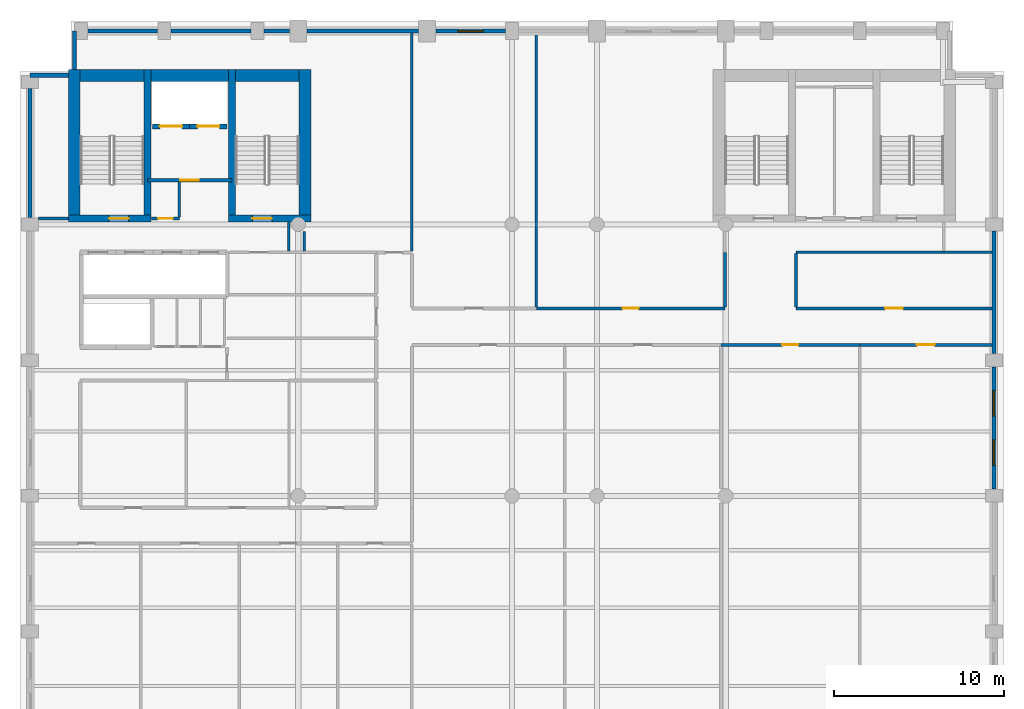
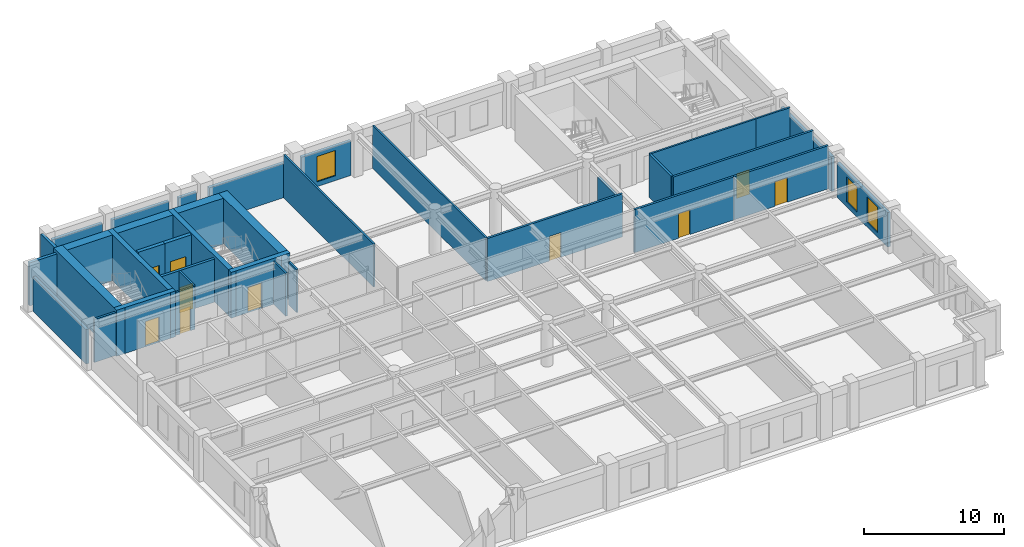
# One storey, part 5 of 8: 35 walls, 10 doors, 3 windows, 13 openings.
"""IFC4 building model written with IfcOpenShell, lengths in metres."""

from ifc_helpers import new_model, si_unit, direction, frame, frame_2d, origin, place, context, subcontext, project, spatial, rectangle, extrude, material, layer, layer_set, type_object, element, fill, save


model = new_model("IFC4")

# Units and contexts
model_context = context("Model", 3, precision=1e-05, world=origin(), true_north=direction((0.0, 1.0)))
body_context = subcontext(model_context, "Body", "Model", "MODEL_VIEW")
ifc_project = project(units=[si_unit("LENGTHUNIT", "METRE"), si_unit("AREAUNIT", "SQUARE_METRE"), si_unit("VOLUMEUNIT", "CUBIC_METRE"), si_unit("PLANEANGLEUNIT", "RADIAN"), si_unit("MASSUNIT", "GRAM", prefix="KILO")], contexts=[model_context])

# Site, building, storey
site_placement = place(None, origin())
site = spatial("IfcSite", under=ifc_project, at=site_placement, CompositionType="ELEMENT")
building_placement = place(site_placement, origin())
building = spatial("IfcBuilding", under=site, at=building_placement, Name="Sulina Concourse Tower", CompositionType="ELEMENT")
storey_placement = place(building_placement, frame((0.0, 0.0, 252.60009765625)))
storey = spatial("IfcBuildingStorey", under=building, at=storey_placement, Name="L61", CompositionType="ELEMENT", Elevation=252.60009765625)

# Wall, opening, door
ifc_material_1 = material(Name="Concrete C50/60", Category="concrete")
ifc_layer_1 = layer(ifc_material_1, 0.300048828125)
ifc_layer_set_1 = layer_set([ifc_layer_1], Name="Concrete C50/60")
wall_type_1 = type_object("IfcWallType", Name="Core Lift Hoistway Wall 300mm", PredefinedType="SOLIDWALL", material=ifc_layer_set_1)
wall_1_placement = place(storey_placement, frame((10.0, 39.780029296875, 0.0), z_axis=(0.0, 0.0, 1.0), x_axis=(-1.0, 0.0, 0.0)))
wall_1 = element("IfcWall", 1, at=wall_1_placement, inside=storey, type_object=wall_type_1, Name="L61 hoistway enclosure wall FFL-1", PredefinedType="SOLIDWALL", context=body_context, shape_type="SweptSolid", body=[
    extrude(rectangle(XDim=2.199951171875, YDim=0.300048828125, at=frame_2d((1.10009765625, 0.0))), origin(), (0.0, 0.0, 1.0), 4.0),
])
opening_1_placement = place(wall_1_placement, frame((0.449951171875, 0.0, 0.0)))
opening_1 = element("IfcOpeningElement", 2, at=opening_1_placement, cuts=wall_1, Name="Opening LD-02", PredefinedType="OPENING", context=body_context, shape_type="SweptSolid", body=[
    extrude(rectangle(XDim=1.300048828125, YDim=2.25, at=frame_2d((0.64990234375, 1.125))), frame((0.0, 0.159912109375, 0.0), z_axis=(0.0, -1.0, 0.0), x_axis=(1.0, 0.0, 0.0)), (0.0, 0.0, 1.0), 0.320068359375),
])
ifc_material_2 = material(Name="Stainless steel lift landing door", Category="steel")
ifc_layer_2 = layer(ifc_material_2, 0.050048828125)
ifc_layer_set_2 = layer_set([ifc_layer_2], Name="Stainless steel lift landing door")
door_type_1 = type_object("IfcDoorType", Name="Firefighting Lift Sliding Landing Door 1300x2250", OperationType="SLIDING_TO_RIGHT", PredefinedType="DOOR", material=ifc_layer_set_2)
door_1_placement = place(opening_1_placement, origin())
door_1 = element("IfcDoor", 3, at=door_1_placement, inside=storey, type_object=door_type_1, Name="L61 lift landing sliding door FFL-1", OperationType="SLIDING_TO_LEFT", OverallHeight=2.25, OverallWidth=1.300048828125, PredefinedType="DOOR", context=body_context, shape_type="SweptSolid", body=[
    extrude(rectangle(XDim=1.300048828125, YDim=2.25, at=frame_2d((0.64990234375, 1.125))), frame((0.0, 0.02490234375, 0.0), z_axis=(0.0, -1.0, 0.0), x_axis=(1.0, 0.0, 0.0)), (0.0, 0.0, 1.0), 0.050048828125),
])
fill(opening_1, door_1)

wall_2_placement = place(storey_placement, frame((12.199951171875, 39.780029296875, 0.0), z_axis=(0.0, 0.0, 1.0), x_axis=(-1.0, 0.0, 0.0)))
wall_2 = element("IfcWall", 4, at=wall_2_placement, inside=storey, type_object=wall_type_1, Name="L61 hoistway enclosure wall FFL-2", PredefinedType="SOLIDWALL", context=body_context, shape_type="SweptSolid", body=[
    extrude(rectangle(XDim=2.199951171875, YDim=0.300048828125, at=frame_2d((1.10009765625, 0.0))), origin(), (0.0, 0.0, 1.0), 4.0),
])
opening_2_placement = place(wall_2_placement, frame((0.449951171875, 0.0, 0.0)))
opening_2 = element("IfcOpeningElement", 5, at=opening_2_placement, cuts=wall_2, Name="Opening LD-02", PredefinedType="OPENING", context=body_context, shape_type="SweptSolid", body=[
    extrude(rectangle(XDim=1.300048828125, YDim=2.25, at=frame_2d((0.64990234375, 1.125))), frame((0.0, 0.159912109375, 0.0), z_axis=(0.0, -1.0, 0.0), x_axis=(1.0, 0.0, 0.0)), (0.0, 0.0, 1.0), 0.320068359375),
])
door_2_placement = place(opening_2_placement, origin())
door_2 = element("IfcDoor", 6, at=door_2_placement, inside=storey, type_object=door_type_1, Name="L61 lift landing sliding door FFL-2", OperationType="SLIDING_TO_RIGHT", OverallHeight=2.25, OverallWidth=1.300048828125, PredefinedType="DOOR", context=body_context, shape_type="SweptSolid", body=[
    extrude(rectangle(XDim=1.300048828125, YDim=2.25, at=frame_2d((0.64990234375, 1.125))), frame((0.0, 0.02490234375, 0.0), z_axis=(0.0, -1.0, 0.0), x_axis=(1.0, 0.0, 0.0)), (0.0, 0.0, 1.0), 0.050048828125),
])
fill(opening_2, door_2)

# Walls
ifc_material_3 = material(Name="Precast concrete C50/60", Category="concrete")
ifc_layer_3 = layer(ifc_material_3, 0.239990234375)
ifc_layer_set_3 = layer_set([ifc_layer_3], Name="Precast concrete C50/60")
wall_type_2 = type_object("IfcWallType", Name="Crown Precast Masonry-Frame Facade Wall 240mm", PredefinedType="SOLIDWALL", material=ifc_layer_set_3)
wall_3_placement = place(storey_placement, frame((0.60009765625, 34.39501953125, 0.0), z_axis=(0.0, 0.0, 1.0), x_axis=(0.0, 1.0, 0.0)))
element("IfcWall", 7, at=wall_3_placement, inside=storey, type_object=wall_type_2, Name="L61 exterior precast wall W5", PredefinedType="SOLIDWALL", context=body_context, shape_type="SweptSolid", body=[
    extrude(rectangle(XDim=7.60986328125, YDim=0.239990234375, at=frame_2d((3.804931640625, 0.0))), origin(), (0.0, 0.0, 1.0), 3.0),
])
wall_4_placement = place(storey_placement, frame((3.9951171875, 45.39990234375, 0.0), z_axis=(0.0, 0.0, 1.0), x_axis=(1.0, 0.0, 0.0)))
element("IfcWall", 8, at=wall_4_placement, inside=storey, type_object=wall_type_2, Name="L61 exterior precast wall N1", PredefinedType="SOLIDWALL", context=body_context, shape_type="SweptSolid", body=[
    extrude(rectangle(XDim=4.10986328125, YDim=0.239990234375, at=frame_2d((2.054931640625, 0.0))), origin(), (0.0, 0.0, 1.0), 3.0),
])
wall_5_placement = place(storey_placement, frame((8.89501953125, 45.39990234375, 0.0), z_axis=(0.0, 0.0, 1.0), x_axis=(1.0, 0.0, 0.0)))
element("IfcWall", 9, at=wall_5_placement, inside=storey, type_object=wall_type_2, Name="L61 exterior precast wall N2", PredefinedType="SOLIDWALL", context=body_context, shape_type="SweptSolid", body=[
    extrude(rectangle(XDim=4.7099609375, YDim=0.239990234375, at=frame_2d((2.35498046875, 0.0))), origin(), (0.0, 0.0, 1.0), 3.0),
])
wall_6_placement = place(storey_placement, frame((14.39501953125, 45.39990234375, 0.0), z_axis=(0.0, 0.0, 1.0), x_axis=(1.0, 0.0, 0.0)))
element("IfcWall", 10, at=wall_6_placement, inside=storey, type_object=wall_type_2, Name="L61 exterior precast wall N3", PredefinedType="SOLIDWALL", context=body_context, shape_type="SweptSolid", body=[
    extrude(rectangle(XDim=1.48486328125, YDim=0.239990234375, at=frame_2d((0.742431640625, 0.0))), origin(), (0.0, 0.0, 1.0), 3.0),
])
wall_7_placement = place(storey_placement, frame((16.919921875, 45.39990234375, 0.0), z_axis=(0.0, 0.0, 1.0), x_axis=(1.0, 0.0, 0.0)))
element("IfcWall", 11, at=wall_7_placement, inside=storey, type_object=wall_type_2, Name="L61 exterior precast wall N4", PredefinedType="SOLIDWALL", context=body_context, shape_type="SweptSolid", body=[
    extrude(rectangle(XDim=6.56005859375, YDim=0.239990234375, at=frame_2d((3.280029296875, 0.0))), origin(), (0.0, 0.0, 1.0), 3.0),
])

# Wall, opening, window
wall_8_placement = place(storey_placement, frame((24.52001953125, 45.39990234375, 0.0), z_axis=(0.0, 0.0, 1.0), x_axis=(1.0, 0.0, 0.0)))
wall_8 = element("IfcWall", 12, at=wall_8_placement, inside=storey, type_object=wall_type_2, Name="L61 exterior precast wall N5", PredefinedType="SOLIDWALL", context=body_context, shape_type="SweptSolid", body=[
    extrude(rectangle(XDim=4.0849609375, YDim=0.239990234375, at=frame_2d((2.04248046875, 0.0))), origin(), (0.0, 0.0, 1.0), 3.0),
])
opening_3_placement = place(wall_8_placement, frame((1.29248046875, 0.0, 0.419921875)))
opening_3 = element("IfcOpeningElement", 13, at=opening_3_placement, cuts=wall_8, Name="Opening WN-71", PredefinedType="OPENING", context=body_context, shape_type="SweptSolid", body=[
    extrude(rectangle(XDim=1.5, YDim=2.199951171875, at=frame_2d((0.75, 1.10009765625))), frame((0.0, 0.1298828125, 0.0), z_axis=(0.0, -1.0, 0.0), x_axis=(1.0, 0.0, 0.0)), (0.0, 0.0, 1.0), 0.260009765625),
])
ifc_material_4 = material(Name="Low-E solar double glazing in bronze aluminium", Category="aluminium")
window_type = type_object("IfcWindowType", Name="Punched Masonry-Frame Window 1500x2200", PartitioningType="SINGLE_PANEL", PredefinedType="WINDOW", material=ifc_material_4)
window_1_placement = place(opening_3_placement, origin())
window_1 = element("IfcWindow", 14, at=window_1_placement, inside=storey, type_object=window_type, Name="L61 punched window N5-1", OverallHeight=2.199951171875, OverallWidth=1.5, PartitioningType="SINGLE_PANEL", PredefinedType="WINDOW", context=body_context, shape_type="SweptSolid", body=[
    extrude(rectangle(XDim=1.5, YDim=2.199951171875, at=frame_2d((0.75, 1.10009765625))), frame((0.0, 0.030029296875, 0.0), z_axis=(0.0, -1.0, 0.0), x_axis=(1.0, 0.0, 0.0)), (0.0, 0.0, 1.0), 0.06005859375),
])
fill(opening_3, window_1)

# Wall, openings, windows
wall_9_placement = place(storey_placement, frame((57.39990234375, 25.60498046875, 0.0), z_axis=(0.0, 0.0, 1.0), x_axis=(0.0, -1.0, 0.0)))
wall_9 = element("IfcWall", 15, at=wall_9_placement, inside=storey, type_object=wall_type_2, Name="L61 exterior precast wall E3", PredefinedType="SOLIDWALL", context=body_context, shape_type="SweptSolid", body=[
    extrude(rectangle(XDim=7.2099609375, YDim=0.239990234375, at=frame_2d((3.60498046875, 0.0))), origin(), (0.0, 0.0, 1.0), 3.0),
])
opening_4_placement = place(wall_9_placement, frame((1.4033203125, 0.0, 0.419921875)))
opening_4 = element("IfcOpeningElement", 16, at=opening_4_placement, cuts=wall_9, Name="Opening WN-71", PredefinedType="OPENING", context=body_context, shape_type="SweptSolid", body=[
    extrude(rectangle(XDim=1.5, YDim=2.199951171875, at=frame_2d((0.75, 1.10009765625))), frame((0.0, 0.1298828125, 0.0), z_axis=(0.0, -1.0, 0.0), x_axis=(1.0, 0.0, 0.0)), (0.0, 0.0, 1.0), 0.260009765625),
])
opening_5_placement = place(wall_9_placement, frame((4.306640625, 0.0, 0.419921875)))
opening_5 = element("IfcOpeningElement", 17, at=opening_5_placement, cuts=wall_9, Name="Opening WN-71", PredefinedType="OPENING", context=body_context, shape_type="SweptSolid", body=[
    extrude(rectangle(XDim=1.5, YDim=2.199951171875, at=frame_2d((0.75, 1.10009765625))), frame((0.0, 0.1298828125, 0.0), z_axis=(0.0, -1.0, 0.0), x_axis=(1.0, 0.0, 0.0)), (0.0, 0.0, 1.0), 0.260009765625),
])
window_2_placement = place(opening_4_placement, origin())
window_2 = element("IfcWindow", 18, at=window_2_placement, inside=storey, type_object=window_type, Name="L61 punched window E3-1", OverallHeight=2.199951171875, OverallWidth=1.5, PartitioningType="SINGLE_PANEL", PredefinedType="WINDOW", context=body_context, shape_type="SweptSolid", body=[
    extrude(rectangle(XDim=1.5, YDim=2.199951171875, at=frame_2d((0.75, 1.10009765625))), frame((0.0, 0.030029296875, 0.0), z_axis=(0.0, -1.0, 0.0), x_axis=(1.0, 0.0, 0.0)), (0.0, 0.0, 1.0), 0.06005859375),
])
fill(opening_4, window_2)
window_3_placement = place(opening_5_placement, origin())
window_3 = element("IfcWindow", 19, at=window_3_placement, inside=storey, type_object=window_type, Name="L61 punched window E3-2", OverallHeight=2.199951171875, OverallWidth=1.5, PartitioningType="SINGLE_PANEL", PredefinedType="WINDOW", context=body_context, shape_type="SweptSolid", body=[
    extrude(rectangle(XDim=1.5, YDim=2.199951171875, at=frame_2d((0.75, 1.10009765625))), frame((0.0, 0.030029296875, 0.0), z_axis=(0.0, -1.0, 0.0), x_axis=(1.0, 0.0, 0.0)), (0.0, 0.0, 1.0), 0.06005859375),
])
fill(opening_5, window_3)

# Walls
wall_10_placement = place(storey_placement, frame((57.39990234375, 33.60498046875, 0.0), z_axis=(0.0, 0.0, 1.0), x_axis=(0.0, -1.0, 0.0)))
element("IfcWall", 20, at=wall_10_placement, inside=storey, type_object=wall_type_2, Name="L61 exterior precast wall E4", PredefinedType="SOLIDWALL", context=body_context, shape_type="SweptSolid", body=[
    extrude(rectangle(XDim=7.2099609375, YDim=0.239990234375, at=frame_2d((3.60498046875, 0.0))), origin(), (0.0, 0.0, 1.0), 3.0),
])
wall_11_placement = place(storey_placement, frame((0.60009765625, 42.794921875, 0.0), z_axis=(0.0, 0.0, 1.0), x_axis=(1.0, 0.0, 0.0)))
element("IfcWall", 21, at=wall_11_placement, inside=storey, type_object=wall_type_2, Name="L61 exterior precast wall CNW1", PredefinedType="SOLIDWALL", context=body_context, shape_type="SweptSolid", body=[
    extrude(rectangle(XDim=2.244873046875, YDim=0.239990234375, at=frame_2d((1.12255859375, 0.0))), origin(), (0.0, 0.0, 1.0), 3.75),
])
wall_12_placement = place(storey_placement, frame((3.205078125, 43.135009765625, 0.0), z_axis=(0.0, 0.0, 1.0), x_axis=(0.0, 1.0, 0.0)))
element("IfcWall", 22, at=wall_12_placement, inside=storey, type_object=wall_type_2, Name="L61 exterior precast wall CNW2", PredefinedType="SOLIDWALL", context=body_context, shape_type="SweptSolid", body=[
    extrude(rectangle(XDim=2.264892578125, YDim=0.239990234375, at=frame_2d((1.13232421875, 0.0))), origin(), (0.0, 0.0, 1.0), 3.75),
])

# Wall, opening, door
ifc_material_5 = material(Name="Gypsum board on steel stud", Category="steel")
ifc_layer_4 = layer(ifc_material_5, 0.219970703125)
ifc_layer_set_4 = layer_set([ifc_layer_4], Name="Gypsum board on steel stud")
wall_type_3 = type_object("IfcWallType", Name="Fire-Rated Lobby & Compartment Wall 220mm", PredefinedType="PARTITIONING", material=ifc_layer_set_4)
wall_13_placement = place(storey_placement, frame((7.510009765625, 36.60009765625, 0.0), z_axis=(0.0, 0.0, 1.0), x_axis=(1.0, 0.0, 0.0)))
wall_13 = element("IfcWall", 23, at=wall_13_placement, inside=storey, type_object=wall_type_3, Name="L61 firefighting lobby south fire wall", PredefinedType="PARTITIONING", context=body_context, shape_type="SweptSolid", body=[
    extrude(rectangle(XDim=4.97998046875, YDim=0.219970703125, at=frame_2d((2.489990234375, 0.0))), origin(), (0.0, 0.0, 1.0), 3.75),
])
opening_6_placement = place(wall_13_placement, frame((1.93994140625, 0.0, 0.0)))
opening_6 = element("IfcOpeningElement", 24, at=opening_6_placement, cuts=wall_13, Name="Opening DR-47", PredefinedType="OPENING", context=body_context, shape_type="SweptSolid", body=[
    extrude(rectangle(XDim=1.10009765625, YDim=2.199951171875, at=frame_2d((0.550048828125, 1.10009765625))), frame((0.0, 0.119873046875, 0.0), z_axis=(0.0, -1.0, 0.0), x_axis=(1.0, 0.0, 0.0)), (0.0, 0.0, 1.0), 0.239990234375),
])
ifc_material_6 = material(Name="Galvanised steel acoustic fire leaf", Category="steel")
ifc_layer_5 = layer(ifc_material_6, 0.054931640625)
ifc_layer_set_5 = layer_set([ifc_layer_5], Name="Galvanised steel acoustic fire leaf")
door_type_2 = type_object("IfcDoorType", Name="Firefighting Lobby Fire Door 1100x2200", OperationType="NOTDEFINED", PredefinedType="DOOR", material=ifc_layer_set_5)
door_3_placement = place(opening_6_placement, origin())
door_3 = element("IfcDoor", 25, at=door_3_placement, inside=storey, type_object=door_type_2, Name="L61 firefighting lobby fire door", OperationType="SINGLE_SWING_RIGHT", OverallHeight=2.199951171875, OverallWidth=1.10009765625, PredefinedType="DOOR", context=body_context, shape_type="SweptSolid", body=[
    extrude(rectangle(XDim=1.10009765625, YDim=2.199951171875, at=frame_2d((0.550048828125, 1.10009765625))), frame((0.0, 0.02490234375, 0.0), z_axis=(0.0, -1.0, 0.0), x_axis=(1.0, 0.0, 0.0)), (0.0, 0.0, 1.0), 0.050048828125),
])
fill(opening_6, door_3)

# Walls
ifc_material_7 = material(Name="Gypsum board on steel stud", Category="steel")
ifc_layer_6 = layer(ifc_material_7, 0.14990234375)
ifc_layer_set_6 = layer_set([ifc_layer_6], Name="Gypsum board on steel stud")
wall_type_4 = type_object("IfcWallType", Name="Inter-Tenancy Acoustic Partition 150mm", PredefinedType="PARTITIONING", material=ifc_layer_set_6)
wall_14_placement = place(storey_placement, frame((45.75, 32.35009765625, 0.0), z_axis=(0.0, 0.0, 1.0), x_axis=(1.0, 0.0, 0.0)))
element("IfcWall", 26, at=wall_14_placement, inside=storey, type_object=wall_type_4, Name="L61 interior partition 028", PredefinedType="PARTITIONING", context=body_context, shape_type="SweptSolid", body=[
    extrude(rectangle(XDim=8.699951171875, YDim=0.14990234375, at=frame_2d((4.35009765625, 0.0))), origin(), (0.0, 0.0, 1.0), 3.75),
])
wall_15_placement = place(storey_placement, frame((54.449951171875, 32.35009765625, 0.0), z_axis=(0.0, 0.0, 1.0), x_axis=(1.0, 0.0, 0.0)))
element("IfcWall", 27, at=wall_15_placement, inside=storey, type_object=wall_type_4, Name="L61 interior partition 029", PredefinedType="PARTITIONING", context=body_context, shape_type="SweptSolid", body=[
    extrude(rectangle(XDim=2.830078125, YDim=0.14990234375, at=frame_2d((1.4150390625, 0.0))), origin(), (0.0, 0.0, 1.0), 3.75),
])

# Wall, opening, door
wall_16_placement = place(storey_placement, frame((7.75, 34.35009765625, 0.0), z_axis=(0.0, 0.0, 1.0), x_axis=(1.0, 0.0, 0.0)))
wall_16 = element("IfcWall", 28, at=wall_16_placement, inside=storey, type_object=wall_type_4, Name="L61 interior partition 031", PredefinedType="PARTITIONING", context=body_context, shape_type="SweptSolid", body=[
    extrude(rectangle(XDim=1.64990234375, YDim=0.14990234375, at=frame_2d((0.824951171875, 0.0))), origin(), (0.0, 0.0, 1.0), 3.75),
])
opening_7_placement = place(wall_16_placement, frame((0.385009765625, 0.0, 0.0)))
opening_7 = element("IfcOpeningElement", 29, at=opening_7_placement, cuts=wall_16, Name="Opening DR-38", PredefinedType="OPENING", context=body_context, shape_type="SweptSolid", body=[
    extrude(rectangle(XDim=0.8798828125, YDim=2.10009765625, at=frame_2d((0.43994140625, 1.050048828125))), frame((0.0, 0.0849609375, 0.0), z_axis=(0.0, -1.0, 0.0), x_axis=(1.0, 0.0, 0.0)), (0.0, 0.0, 1.0), 0.169921875),
])
ifc_material_8 = material(Name="Galvanised steel acoustic fire leaf", Category="steel")
ifc_layer_7 = layer(ifc_material_8, 0.050048828125)
ifc_layer_set_7 = layer_set([ifc_layer_7], Name="Galvanised steel acoustic fire leaf")
door_type_3 = type_object("IfcDoorType", Name="Service Riser Fire Door 880x2100", OperationType="NOTDEFINED", PredefinedType="DOOR", material=ifc_layer_set_7)
door_4_placement = place(opening_7_placement, origin())
door_4 = element("IfcDoor", 30, at=door_4_placement, inside=storey, type_object=door_type_3, Name="L61 interior door L61-CLN-N", OperationType="SINGLE_SWING_RIGHT", OverallHeight=2.10009765625, OverallWidth=0.8798828125, PredefinedType="DOOR", context=body_context, shape_type="SweptSolid", body=[
    extrude(rectangle(XDim=0.8798828125, YDim=2.10009765625, at=frame_2d((0.43994140625, 1.050048828125))), frame((0.0, 0.02490234375, 0.0), z_axis=(0.0, -1.0, 0.0), x_axis=(1.0, 0.0, 0.0)), (0.0, 0.0, 1.0), 0.050048828125),
])
fill(opening_7, door_4)

# Walls
wall_17_placement = place(storey_placement, frame((9.39990234375, 34.425048828125, 0.0), z_axis=(0.0, 0.0, 1.0), x_axis=(0.0, 1.0, 0.0)))
element("IfcWall", 31, at=wall_17_placement, inside=storey, type_object=wall_type_4, Name="L61 interior partition 037", PredefinedType="PARTITIONING", context=body_context, shape_type="SweptSolid", body=[
    extrude(rectangle(XDim=2.06494140625, YDim=0.14990234375, at=frame_2d((1.032470703125, 0.0))), origin(), (0.0, 0.0, 1.0), 3.75),
])
wall_18_placement = place(storey_placement, frame((15.85009765625, 32.425048828125, 0.0), z_axis=(0.0, 0.0, 1.0), x_axis=(0.0, 1.0, 0.0)))
element("IfcWall", 32, at=wall_18_placement, inside=storey, type_object=wall_type_4, Name="L61 interior partition 044", PredefinedType="PARTITIONING", context=body_context, shape_type="SweptSolid", body=[
    extrude(rectangle(XDim=1.724853515625, YDim=0.14990234375, at=frame_2d((0.8623046875, 0.0))), origin(), (0.0, 0.0, 1.0), 3.75),
])
wall_19_placement = place(storey_placement, frame((16.75, 32.425048828125, 0.0), z_axis=(0.0, 0.0, 1.0), x_axis=(0.0, 1.0, 0.0)))
element("IfcWall", 33, at=wall_19_placement, inside=storey, type_object=wall_type_4, Name="L61 interior partition 045", PredefinedType="PARTITIONING", context=body_context, shape_type="SweptSolid", body=[
    extrude(rectangle(XDim=1.14990234375, YDim=0.14990234375, at=frame_2d((0.574951171875, 0.0))), origin(), (0.0, 0.0, 1.0), 3.75),
])
wall_20_placement = place(storey_placement, frame((23.10009765625, 32.43994140625, 0.0), z_axis=(0.0, 0.0, 1.0), x_axis=(0.0, 1.0, 0.0)))
element("IfcWall", 34, at=wall_20_placement, inside=storey, type_object=wall_type_4, Name="L61 interior partition 055", PredefinedType="PARTITIONING", context=body_context, shape_type="SweptSolid", body=[
    extrude(rectangle(XDim=12.840087890625, YDim=0.14990234375, at=frame_2d((6.419921875, 0.0))), origin(), (0.0, 0.0, 1.0), 3.75),
])
wall_21_placement = place(storey_placement, frame((30.429931640625, 29.139892578125, 0.0), z_axis=(0.0, 0.0, 1.0), x_axis=(0.0, 1.0, 0.0)))
element("IfcWall", 35, at=wall_21_placement, inside=storey, type_object=wall_type_4, Name="L61 interior partition 056", PredefinedType="PARTITIONING", context=body_context, shape_type="SweptSolid", body=[
    extrude(rectangle(XDim=16.14013671875, YDim=0.14990234375, at=frame_2d((8.070068359375, 0.0))), origin(), (0.0, 0.0, 1.0), 3.75),
])

# Wall, opening, door
ifc_material_9 = material(Name="Gypsum board on steel stud", Category="steel")
ifc_layer_8 = layer(ifc_material_9, 0.179931640625)
ifc_layer_set_8 = layer_set([ifc_layer_8], Name="Gypsum board on steel stud")
wall_type_5 = type_object("IfcWallType", Name="Protected Corridor & Riser Partition 180mm", PredefinedType="PARTITIONING", material=ifc_layer_set_8)
wall_22_placement = place(storey_placement, frame((41.320068359375, 26.89990234375, 0.0), z_axis=(0.0, 0.0, 1.0), x_axis=(1.0, 0.0, 0.0)))
wall_22 = element("IfcWall", 36, at=wall_22_placement, inside=storey, type_object=wall_type_5, Name="L61 interior partition 017", PredefinedType="PARTITIONING", context=body_context, shape_type="SweptSolid", body=[
    extrude(rectangle(XDim=8.179931640625, YDim=0.179931640625, at=frame_2d((4.08984375, 0.0))), origin(), (0.0, 0.0, 1.0), 3.75),
])
opening_8_placement = place(wall_22_placement, frame((3.614990234375, 0.0, 0.0)))
opening_8 = element("IfcOpeningElement", 37, at=opening_8_placement, cuts=wall_22, Name="Opening DR-19", PredefinedType="OPENING", context=body_context, shape_type="SweptSolid", body=[
    extrude(rectangle(XDim=0.949951171875, YDim=2.14990234375, at=frame_2d((0.47509765625, 1.074951171875))), frame((0.0, 0.099853515625, 0.0), z_axis=(0.0, -1.0, 0.0), x_axis=(1.0, 0.0, 0.0)), (0.0, 0.0, 1.0), 0.199951171875),
])
ifc_material_10 = material(Name="Oak-veneered acoustic timber leaf", Category="wood")
ifc_layer_9 = layer(ifc_material_10, 0.050048828125)
ifc_layer_set_9 = layer_set([ifc_layer_9], Name="Oak-veneered acoustic timber leaf")
door_type_4 = type_object("IfcDoorType", Name="Cellular Office & Meeting Door 950x2150", OperationType="NOTDEFINED", PredefinedType="DOOR", material=ifc_layer_set_9)
door_5_placement = place(opening_8_placement, origin())
door_5 = element("IfcDoor", 38, at=door_5_placement, inside=storey, type_object=door_type_4, Name="L61 interior door L61-S07", OperationType="SINGLE_SWING_LEFT", OverallHeight=2.14990234375, OverallWidth=0.949951171875, PredefinedType="DOOR", context=body_context, shape_type="SweptSolid", body=[
    extrude(rectangle(XDim=0.949951171875, YDim=2.14990234375, at=frame_2d((0.47509765625, 1.074951171875))), frame((0.0, 0.02490234375, 0.0), z_axis=(0.0, -1.0, 0.0), x_axis=(1.0, 0.0, 0.0)), (0.0, 0.0, 1.0), 0.050048828125),
])
fill(opening_8, door_5)

wall_23_placement = place(storey_placement, frame((49.5, 26.89990234375, 0.0), z_axis=(0.0, 0.0, 1.0), x_axis=(1.0, 0.0, 0.0)))
wall_23 = element("IfcWall", 39, at=wall_23_placement, inside=storey, type_object=wall_type_5, Name="L61 interior partition 018", PredefinedType="PARTITIONING", context=body_context, shape_type="SweptSolid", body=[
    extrude(rectangle(XDim=7.780029296875, YDim=0.179931640625, at=frame_2d((3.89013671875, 0.0))), origin(), (0.0, 0.0, 1.0), 3.75),
])
opening_9_placement = place(wall_23_placement, frame((3.364990234375, 0.0, 0.0)))
opening_9 = element("IfcOpeningElement", 40, at=opening_9_placement, cuts=wall_23, Name="Opening DR-37", PredefinedType="OPENING", context=body_context, shape_type="SweptSolid", body=[
    extrude(rectangle(XDim=1.050048828125, YDim=2.14990234375, at=frame_2d((0.52490234375, 1.074951171875))), frame((0.0, 0.099853515625, 0.0), z_axis=(0.0, -1.0, 0.0), x_axis=(1.0, 0.0, 0.0)), (0.0, 0.0, 1.0), 0.199951171875),
])
ifc_material_11 = material(Name="Oak-veneered fire door leaf")
ifc_layer_10 = layer(ifc_material_11, 0.050048828125)
ifc_layer_set_10 = layer_set([ifc_layer_10], Name="Oak-veneered fire door leaf")
door_type_5 = type_object("IfcDoorType", Name="Tenant Suite Entrance Fire Door 1050x2150", OperationType="NOTDEFINED", PredefinedType="DOOR", material=ifc_layer_set_10)
door_6_placement = place(opening_9_placement, origin())
door_6 = element("IfcDoor", 41, at=door_6_placement, inside=storey, type_object=door_type_5, Name="L61 interior door L61-S08", OperationType="SINGLE_SWING_RIGHT", OverallHeight=2.14990234375, OverallWidth=1.050048828125, PredefinedType="DOOR", context=body_context, shape_type="SweptSolid", body=[
    extrude(rectangle(XDim=1.050048828125, YDim=2.14990234375, at=frame_2d((0.52490234375, 1.074951171875))), frame((0.0, 0.02490234375, 0.0), z_axis=(0.0, -1.0, 0.0), x_axis=(1.0, 0.0, 0.0)), (0.0, 0.0, 1.0), 0.050048828125),
])
fill(opening_9, door_6)

wall_24_placement = place(storey_placement, frame((30.429931640625, 29.050048828125, 0.0), z_axis=(0.0, 0.0, 1.0), x_axis=(1.0, 0.0, 0.0)))
wall_24 = element("IfcWall", 42, at=wall_24_placement, inside=storey, type_object=wall_type_5, Name="L61 interior partition 021", PredefinedType="PARTITIONING", context=body_context, shape_type="SweptSolid", body=[
    extrude(rectangle(XDim=11.1201171875, YDim=0.179931640625, at=frame_2d((5.56005859375, 0.0))), origin(), (0.0, 0.0, 1.0), 3.75),
])
opening_10_placement = place(wall_24_placement, frame((5.0849609375, 0.0, 0.0)))
opening_10 = element("IfcOpeningElement", 43, at=opening_10_placement, cuts=wall_24, Name="Opening DR-19", PredefinedType="OPENING", context=body_context, shape_type="SweptSolid", body=[
    extrude(rectangle(XDim=0.949951171875, YDim=2.14990234375, at=frame_2d((0.47509765625, 1.074951171875))), frame((0.0, 0.099853515625, 0.0), z_axis=(0.0, -1.0, 0.0), x_axis=(1.0, 0.0, 0.0)), (0.0, 0.0, 1.0), 0.199951171875),
])
door_7_placement = place(opening_10_placement, origin())
door_7 = element("IfcDoor", 44, at=door_7_placement, inside=storey, type_object=door_type_4, Name="L61 interior door L61-NC2", OperationType="SINGLE_SWING_RIGHT", OverallHeight=2.14990234375, OverallWidth=0.949951171875, PredefinedType="DOOR", context=body_context, shape_type="SweptSolid", body=[
    extrude(rectangle(XDim=0.949951171875, YDim=2.14990234375, at=frame_2d((0.47509765625, 1.074951171875))), frame((0.0, 0.02490234375, 0.0), z_axis=(0.0, -1.0, 0.0), x_axis=(1.0, 0.0, 0.0)), (0.0, 0.0, 1.0), 0.050048828125),
])
fill(opening_10, door_7)

wall_25_placement = place(storey_placement, frame((45.75, 29.050048828125, 0.0), z_axis=(0.0, 0.0, 1.0), x_axis=(1.0, 0.0, 0.0)))
wall_25 = element("IfcWall", 45, at=wall_25_placement, inside=storey, type_object=wall_type_5, Name="L61 interior partition 022", PredefinedType="PARTITIONING", context=body_context, shape_type="SweptSolid", body=[
    extrude(rectangle(XDim=11.530029296875, YDim=0.179931640625, at=frame_2d((5.76513671875, 0.0))), origin(), (0.0, 0.0, 1.0), 3.75),
])
opening_11_placement = place(wall_25_placement, frame((5.239990234375, 0.0, 0.0)))
opening_11 = element("IfcOpeningElement", 46, at=opening_11_placement, cuts=wall_25, Name="Opening DR-37", PredefinedType="OPENING", context=body_context, shape_type="SweptSolid", body=[
    extrude(rectangle(XDim=1.050048828125, YDim=2.14990234375, at=frame_2d((0.52490234375, 1.074951171875))), frame((0.0, 0.099853515625, 0.0), z_axis=(0.0, -1.0, 0.0), x_axis=(1.0, 0.0, 0.0)), (0.0, 0.0, 1.0), 0.199951171875),
])
door_8_placement = place(opening_11_placement, origin())
door_8 = element("IfcDoor", 47, at=door_8_placement, inside=storey, type_object=door_type_5, Name="L61 interior door L61-NE1", OperationType="SINGLE_SWING_LEFT", OverallHeight=2.14990234375, OverallWidth=1.050048828125, PredefinedType="DOOR", context=body_context, shape_type="SweptSolid", body=[
    extrude(rectangle(XDim=1.050048828125, YDim=2.14990234375, at=frame_2d((0.52490234375, 1.074951171875))), frame((0.0, 0.02490234375, 0.0), z_axis=(0.0, -1.0, 0.0), x_axis=(1.0, 0.0, 0.0)), (0.0, 0.0, 1.0), 0.050048828125),
])
fill(opening_11, door_8)

# Walls
wall_26_placement = place(storey_placement, frame((1.10009765625, 34.35009765625, 0.0), z_axis=(0.0, 0.0, 1.0), x_axis=(1.0, 0.0, 0.0)))
element("IfcWall", 48, at=wall_26_placement, inside=storey, type_object=wall_type_5, Name="L61 interior partition 030", PredefinedType="PARTITIONING", context=body_context, shape_type="SweptSolid", body=[
    extrude(rectangle(XDim=1.75, YDim=0.179931640625, at=frame_2d((0.875, 0.0))), origin(), (0.0, 0.0, 1.0), 3.75),
])
wall_27_placement = place(storey_placement, frame((41.550048828125, 29.139892578125, 0.0), z_axis=(0.0, 0.0, 1.0), x_axis=(0.0, 1.0, 0.0)))
element("IfcWall", 49, at=wall_27_placement, inside=storey, type_object=wall_type_5, Name="L61 interior partition 060", PredefinedType="PARTITIONING", context=body_context, shape_type="SweptSolid", body=[
    extrude(rectangle(XDim=3.210205078125, YDim=0.179931640625, at=frame_2d((1.60498046875, 0.0))), origin(), (0.0, 0.0, 1.0), 3.19482421875),
])
wall_28_placement = place(storey_placement, frame((45.75, 29.139892578125, 0.0), z_axis=(0.0, 0.0, 1.0), x_axis=(0.0, 1.0, 0.0)))
element("IfcWall", 50, at=wall_28_placement, inside=storey, type_object=wall_type_5, Name="L61 interior partition 063", PredefinedType="PARTITIONING", context=body_context, shape_type="SweptSolid", body=[
    extrude(rectangle(XDim=3.135009765625, YDim=0.179931640625, at=frame_2d((1.5673828125, 0.0))), origin(), (0.0, 0.0, 1.0), 3.75),
])

# Wall, opening, door
ifc_material_12 = material(Name="Concrete C60/75", Category="concrete")
ifc_layer_11 = layer(ifc_material_12, 0.39990234375)
ifc_layer_set_11 = layer_set([ifc_layer_11], Name="Concrete C60/75")
wall_type_6 = type_object("IfcWallType", Name="Protected Stair Core Shear Wall 400mm", PredefinedType="SHEAR", material=ifc_layer_set_11)
wall_29_placement = place(storey_placement, frame((2.85009765625, 34.35009765625, 0.0), z_axis=(0.0, 0.0, 1.0), x_axis=(1.0, 0.0, 0.0)))
wall_29 = element("IfcWall", 51, at=wall_29_placement, inside=storey, type_object=wall_type_6, Name="L61 west core shear wall CW-WS1", PredefinedType="SHEAR", context=body_context, shape_type="SweptSolid", body=[
    extrude(rectangle(XDim=4.85986328125, YDim=0.39990234375, at=frame_2d((2.429931640625, 0.0))), origin(), (0.0, 0.0, 1.0), 4.0),
])
opening_12_placement = place(wall_29_placement, frame((2.39990234375, 0.0, 0.0)))
opening_12 = element("IfcOpeningElement", 52, at=opening_12_placement, cuts=wall_29, Name="Opening DR-60", PredefinedType="OPENING", context=body_context, shape_type="SweptSolid", body=[
    extrude(rectangle(XDim=1.14990234375, YDim=2.199951171875, at=frame_2d((0.574951171875, 1.10009765625))), frame((0.0, 0.2099609375, 0.0), z_axis=(0.0, -1.0, 0.0), x_axis=(1.0, 0.0, 0.0)), (0.0, 0.0, 1.0), 0.419921875),
])
ifc_material_13 = material(Name="Galvanised steel acoustic fire leaf", Category="steel")
ifc_layer_12 = layer(ifc_material_13, 0.054931640625)
ifc_layer_set_12 = layer_set([ifc_layer_12], Name="Galvanised steel acoustic fire leaf")
door_type_6 = type_object("IfcDoorType", Name="Protected Exit Stair Fire Door 1150x2200", OperationType="NOTDEFINED", PredefinedType="DOOR", material=ifc_layer_set_12)
door_9_placement = place(opening_12_placement, origin())
door_9 = element("IfcDoor", 53, at=door_9_placement, inside=storey, type_object=door_type_6, Name="L61 stair ST-1 lobby fire door", OperationType="SINGLE_SWING_RIGHT", OverallHeight=2.199951171875, OverallWidth=1.14990234375, PredefinedType="DOOR", context=body_context, shape_type="SweptSolid", body=[
    extrude(rectangle(XDim=1.14990234375, YDim=2.199951171875, at=frame_2d((0.574951171875, 1.10009765625))), frame((0.0, 0.02490234375, 0.0), z_axis=(0.0, -1.0, 0.0), x_axis=(1.0, 0.0, 0.0)), (0.0, 0.0, 1.0), 0.050048828125),
])
fill(opening_12, door_9)

wall_30_placement = place(storey_placement, frame((12.2900390625, 34.35009765625, 0.0), z_axis=(0.0, 0.0, 1.0), x_axis=(1.0, 0.0, 0.0)))
wall_30 = element("IfcWall", 54, at=wall_30_placement, inside=storey, type_object=wall_type_6, Name="L61 west core shear wall CW-WS2", PredefinedType="SHEAR", context=body_context, shape_type="SweptSolid", body=[
    extrude(rectangle(XDim=4.85986328125, YDim=0.39990234375, at=frame_2d((2.429931640625, 0.0))), origin(), (0.0, 0.0, 1.0), 4.0),
])
opening_13_placement = place(wall_30_placement, frame((1.39990234375, 0.0, 0.0)))
opening_13 = element("IfcOpeningElement", 55, at=opening_13_placement, cuts=wall_30, Name="Opening DR-60", PredefinedType="OPENING", context=body_context, shape_type="SweptSolid", body=[
    extrude(rectangle(XDim=1.14990234375, YDim=2.199951171875, at=frame_2d((0.574951171875, 1.10009765625))), frame((0.0, 0.2099609375, 0.0), z_axis=(0.0, -1.0, 0.0), x_axis=(1.0, 0.0, 0.0)), (0.0, 0.0, 1.0), 0.419921875),
])
door_10_placement = place(opening_13_placement, origin())
door_10 = element("IfcDoor", 56, at=door_10_placement, inside=storey, type_object=door_type_6, Name="L61 stair ST-2 lobby fire door", OperationType="SINGLE_SWING_LEFT", OverallHeight=2.199951171875, OverallWidth=1.14990234375, PredefinedType="DOOR", context=body_context, shape_type="SweptSolid", body=[
    extrude(rectangle(XDim=1.14990234375, YDim=2.199951171875, at=frame_2d((0.574951171875, 1.10009765625))), frame((0.0, 0.02490234375, 0.0), z_axis=(0.0, -1.0, 0.0), x_axis=(1.0, 0.0, 0.0)), (0.0, 0.0, 1.0), 0.050048828125),
])
fill(opening_13, door_10)

# Walls
for number, where, z_axis, x_axis, name in (
    (57, (7.510009765625, 34.14990234375, 0.0), (0.0, 0.0, 1.0), (0.0, 1.0, 0.0), "L61 west core shear wall SW-ST1"),
    (58, (12.489990234375, 34.14990234375, 0.0), (0.0, 0.0, 1.0), (0.0, 1.0, 0.0), "L61 west core shear wall SW-ST2"),
):
    element("IfcWall", number, at=place(storey_placement, frame(where, z_axis=z_axis, x_axis=x_axis)), inside=storey, type_object=wall_type_6, Name=name, PredefinedType="SHEAR", context=body_context, shape_type="SweptSolid", body=[
        extrude(rectangle(XDim=8.97998046875, YDim=0.39990234375, at=frame_2d((4.489990234375, 0.0))), origin(), (0.0, 0.0, 1.0), 4.0),
    ])
ifc_material_14 = material(Name="Concrete C60/75", Category="concrete")
ifc_layer_13 = layer(ifc_material_14, 0.699951171875)
ifc_layer_set_13 = layer_set([ifc_layer_13], Name="Concrete C60/75")
wall_type_7 = type_object("IfcWallType", Name="Rear Core Shear Wall 700mm", PredefinedType="SHEAR", material=ifc_layer_set_13)
wall_31_placement = place(storey_placement, frame((2.85009765625, 42.780029296875, 0.0), z_axis=(0.0, 0.0, 1.0), x_axis=(1.0, 0.0, 0.0)))
element("IfcWall", 59, at=wall_31_placement, inside=storey, type_object=wall_type_7, Name="L61 west core shear wall CW-WN", PredefinedType="SHEAR", context=body_context, shape_type="SweptSolid", body=[
    extrude(rectangle(XDim=14.2998046875, YDim=0.699951171875, at=frame_2d((7.14990234375, 0.0))), origin(), (0.0, 0.0, 1.0), 4.0),
])
for number, where, z_axis, x_axis, name in (
    (60, (3.199951171875, 34.14990234375, 0.0), (0.0, 0.0, 1.0), (0.0, 1.0, 0.0), "L61 west core shear wall CW-WW"),
    (61, (16.800048828125, 34.14990234375, 0.0), (0.0, 0.0, 1.0), (0.0, 1.0, 0.0), "L61 west core shear wall CW-WE"),
):
    element("IfcWall", number, at=place(storey_placement, frame(where, z_axis=z_axis, x_axis=x_axis)), inside=storey, type_object=wall_type_7, Name=name, PredefinedType="SHEAR", context=body_context, shape_type="SweptSolid", body=[
        extrude(rectangle(XDim=8.97998046875, YDim=0.699951171875, at=frame_2d((4.489990234375, 0.0))), origin(), (0.0, 0.0, 1.0), 4.0),
    ])

save(model, "model.ifc")
